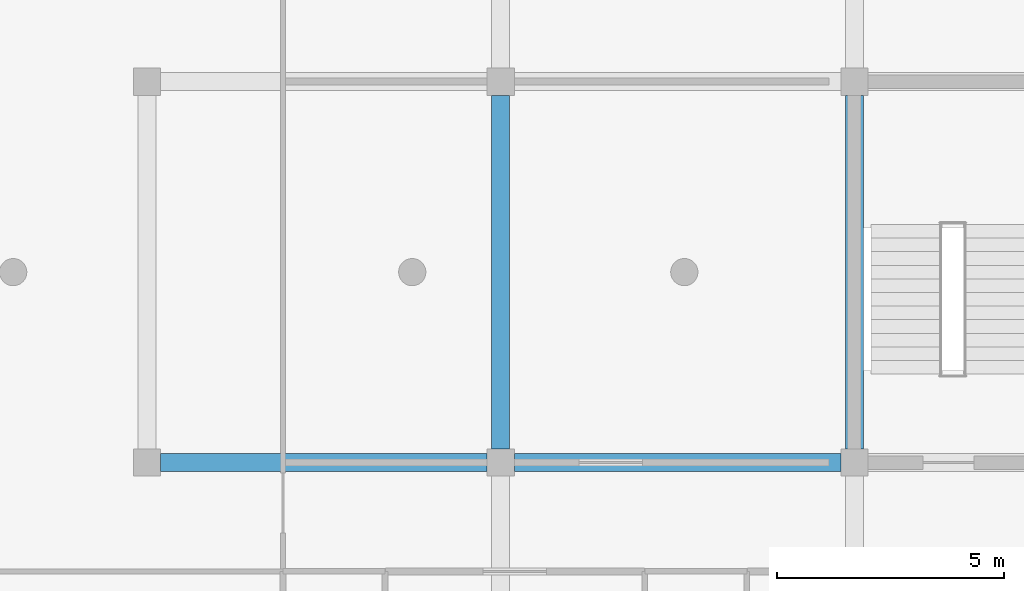
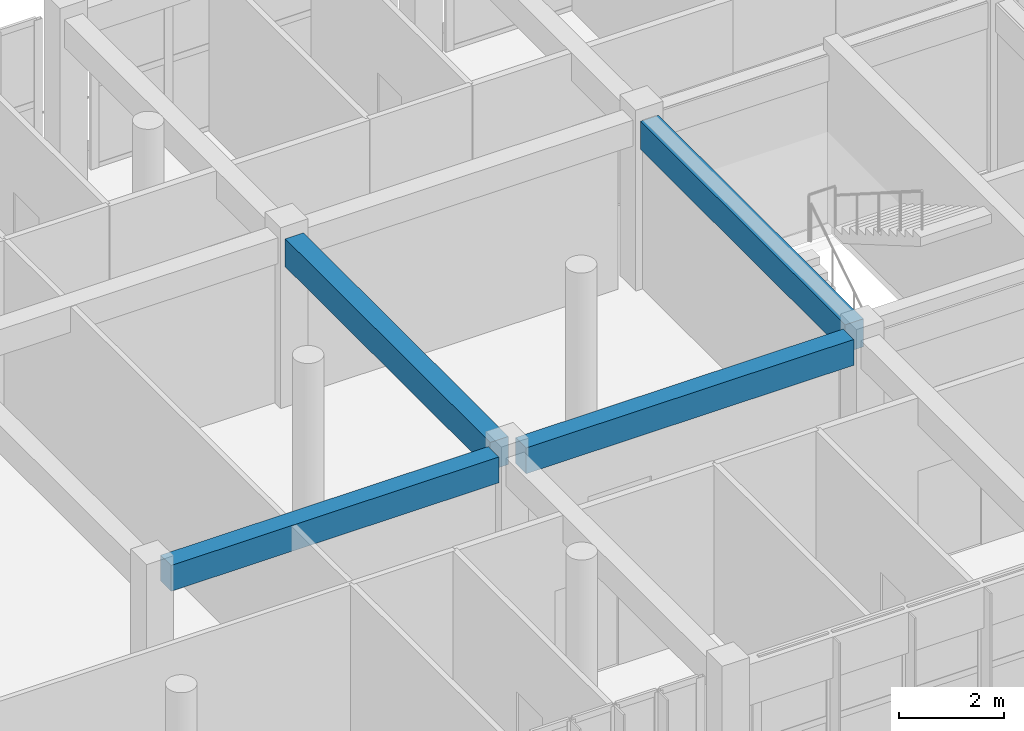
# One storey, part 6 of 56: 4 beams.
"""IFC4 building model written with IfcOpenShell, lengths in metres."""

import ifcopenshell
import ifcopenshell.guid

model = None  # the IFC model being written
_history = None  # IfcOwnerHistory: only IFC2X3 demands one
_inside = {}  # id of a spatial element -> (the spatial element, [elements in it])
_under = {}  # id of a project, library or spatial element -> (it, [spatial elements below it])
_declared = {}  # id of a project -> (the project, [libraries it declares])
_typed = {}  # id of a type object -> (the type object, [elements of that type])
_made_of = {}  # id of a material, layer set ... -> (it, [elements and type objects made of it])


def new_model(schema):
    """Start an empty IFC model of exactly this schema.

    Asked for "IFC4X3", IfcOpenShell would pick the latest addendum, in which some entities
    have other attributes; the version numbers below select the first issue.
    IFC2X3 requires an IfcOwnerHistory on every rooted entity: one is made here for all.
    """
    global model, _history
    if schema == "IFC4X3":
        model = ifcopenshell.file(schema_version=(4, 3, 0, 0))
    else:
        model = ifcopenshell.file(schema=schema)
    _inside.clear()
    _under.clear()
    _declared.clear()
    _typed.clear()
    _made_of.clear()
    _history = None
    if model.schema == "IFC2X3":
        org = make("IfcOrganization", Name="unknown")
        user = make(
            "IfcPersonAndOrganization",
            ThePerson=make("IfcPerson", FamilyName="unknown"),
            TheOrganization=org,
        )
        app = make(
            "IfcApplication",
            ApplicationDeveloper=org,
            Version="unknown",
            ApplicationFullName="unknown",
            ApplicationIdentifier="unknown",
        )
        _history = make(
            "IfcOwnerHistory",
            OwningUser=user,
            OwningApplication=app,
            ChangeAction="ADDED",
            CreationDate=0,
        )
    return model


def make(cls, **values):
    """One entity of the class cls with the attributes given. An attribute that is None is left unset."""
    return model.create_entity(
        cls, **{name: value for name, value in values.items() if value is not None}
    )


def rooted(cls, **values):
    """An entity with a GlobalId (a new one), such as an element, a storey or a relation."""
    return make(cls, GlobalId=ifcopenshell.guid.new(), OwnerHistory=_history, **values)


def si_unit(unit_type, name, prefix=None):
    """IfcSIUnit, for example si_unit("LENGTHUNIT", "METRE", prefix="MILLI")."""
    return make("IfcSIUnit", UnitType=unit_type, Prefix=prefix, Name=name)


def assignment(units):
    """IfcUnitAssignment: the units of a project."""
    return None if units is None else make("IfcUnitAssignment", Units=units)


def point(xyz):
    """IfcCartesianPoint."""
    return None if xyz is None else make("IfcCartesianPoint", Coordinates=xyz)


def direction(xyz):
    """IfcDirection."""
    return None if xyz is None else make("IfcDirection", DirectionRatios=xyz)


def frame(location, z_axis=None, x_axis=None):
    """IfcAxis2Placement3D, a coordinate frame: its origin and axes. An axis left out is left unset."""
    return make(
        "IfcAxis2Placement3D",
        Location=point(location),
        Axis=direction(z_axis),
        RefDirection=direction(x_axis),
    )


def frame_2d(location, x_axis=None):
    """IfcAxis2Placement2D, a coordinate frame in the plane: its origin and x axis."""
    return make(
        "IfcAxis2Placement2D", Location=point(location), RefDirection=direction(x_axis)
    )


def origin():
    """The frame at (0, 0, 0) with its axes left unset."""
    return frame((0.0, 0.0, 0.0))


def origin_2d():
    """The frame at (0, 0) in the plane with its x axis left unset."""
    return frame_2d((0.0, 0.0))


def place(relative_to, where):
    """IfcLocalPlacement: puts the frame where relative to a parent placement (None: the world)."""
    return make(
        "IfcLocalPlacement", PlacementRelTo=relative_to, RelativePlacement=where
    )


def context(
    kind, dimensions, precision=None, world=None, true_north=None, identifier=None
):
    """IfcGeometricRepresentationContext, for example the 3D "Model" context."""
    return make(
        "IfcGeometricRepresentationContext",
        ContextIdentifier=identifier,
        ContextType=kind,
        CoordinateSpaceDimension=dimensions,
        Precision=precision,
        WorldCoordinateSystem=world,
        TrueNorth=true_north,
    )


def subcontext(parent, identifier, kind, view, scale=None):
    """IfcGeometricRepresentationSubContext, for example "Body" below "Model"."""
    return make(
        "IfcGeometricRepresentationSubContext",
        ContextIdentifier=identifier,
        ContextType=kind,
        ParentContext=parent,
        TargetScale=scale,
        TargetView=view,
    )


def project(units=None, contexts=None):
    """IfcProject with its units and contexts."""
    return rooted(
        "IfcProject",
        Name="project",
        RepresentationContexts=contexts,
        UnitsInContext=assignment(units),
    )


def spatial(cls, under=None, at=None, **own):
    """A site, building, storey or space (cls), placed at a placement, below another one or the project."""
    s = rooted(cls, ObjectPlacement=at, **own)
    if under is not None:
        _under.setdefault(under.id(), (under, []))[1].append(s)
    return s


def profile(cls, at=None, kind="AREA", **sizes):
    """A parametric profile (cls). Its sizes go by their IFC names, for example OverallWidth=200.0."""
    return make(cls, ProfileType=kind, Position=at, **sizes)


def rectangle(**sizes):
    """IfcRectangleProfileDef."""
    return profile("IfcRectangleProfileDef", **sizes)


def extrude(swept, where, along, depth):
    """IfcExtrudedAreaSolid: the profile swept, set in the frame where, extruded along a direction by depth."""
    return make(
        "IfcExtrudedAreaSolid",
        SweptArea=swept,
        Position=where,
        ExtrudedDirection=direction(along),
        Depth=depth,
    )


def shape(context_of_items, identifier, shape_type, items):
    """IfcShapeRepresentation: the items that make up one representation, for example the "Body"."""
    return make(
        "IfcShapeRepresentation",
        ContextOfItems=context_of_items,
        RepresentationIdentifier=identifier,
        RepresentationType=shape_type,
        Items=items,
    )


def material(Name=None, Category=None):
    """IfcMaterial."""
    return make("IfcMaterial", Name=Name, Category=Category)


def material_profile(
    of_material, cross_section, Name=None, Category=None, Priority=None
):
    """IfcMaterialProfile: a cross section and its material."""
    return make(
        "IfcMaterialProfile",
        Name=Name,
        Material=of_material,
        Profile=cross_section,
        Priority=Priority,
        Category=Category,
    )


def profile_set(profiles, Name=None, composite=None):
    """IfcMaterialProfileSet."""
    return make(
        "IfcMaterialProfileSet",
        Name=Name,
        MaterialProfiles=profiles,
        CompositeProfile=composite,
    )


def made_of(thing, what):
    """Note that an element or type object is made of a material, layer set ...; save() writes the relation."""
    if what is not None:
        _made_of.setdefault(what.id(), (what, []))[1].append(thing)
    return thing


def type_object(cls, material=None, **own):
    """A type object (cls), such as IfcWallType, which elements share."""
    return made_of(rooted(cls, **own), material)


def element(
    cls,
    number,
    at=None,
    inside=None,
    cuts=None,
    type_object=None,
    material=None,
    context=None,
    identifier="Body",
    shape_type=None,
    held_by="IfcProductDefinitionShape",
    body=None,
    shapes=None,
    **own,
):
    """One element of the class cls, such as IfcWall. Its Tag is "e" and its number.

    at: its placement. inside: the storey or other place that contains it. cuts: it is an
    opening in that element (IfcRelVoidsElement). A single representation is given by context,
    identifier, shape_type and body (its items); several are given by shapes. held_by: the class
    of the entity that holds the representations. save() writes the other relations.
    """
    e = rooted(cls, Tag="e%d" % number, ObjectPlacement=at, **own)
    if body is not None:
        shapes = [shape(context, identifier, shape_type, body)]
    if shapes is not None:
        e.Representation = make(held_by, Representations=shapes)
    if inside is not None:
        _inside.setdefault(inside.id(), (inside, []))[1].append(e)
    if cuts is not None:
        rooted(
            "IfcRelVoidsElement", RelatingBuildingElement=cuts, RelatedOpeningElement=e
        )
    if type_object is not None:
        _typed.setdefault(type_object.id(), (type_object, []))[1].append(e)
    return made_of(e, material)


def aggregate(whole, parts):
    """IfcRelAggregates: a whole, such as a stair, and the parts it consists of."""
    return rooted("IfcRelAggregates", RelatingObject=whole, RelatedObjects=parts)


def save(model, path):
    """Write the relations noted so far, then the file.

    IfcRelAggregates (storeys below a building ...), IfcRelContainedInSpatialStructure (elements
    in a storey), IfcRelDefinesByType, IfcRelAssociatesMaterial and IfcRelDeclares: one each for
    every whole, place, type object, material and project.
    """
    for whole, parts in _under.values():
        aggregate(whole, parts)
    for where, things in _inside.values():
        rooted(
            "IfcRelContainedInSpatialStructure",
            RelatedElements=things,
            RelatingStructure=where,
        )
    for kind, things in _typed.values():
        rooted("IfcRelDefinesByType", RelatedObjects=things, RelatingType=kind)
    for what, things in _made_of.values():
        rooted("IfcRelAssociatesMaterial", RelatedObjects=things, RelatingMaterial=what)
    for by, libraries in _declared.values():
        rooted("IfcRelDeclares", RelatingContext=by, RelatedDefinitions=libraries)
    model.write(path)


model = new_model("IFC4")

# Units and contexts
model_context = context("Model", 3, precision=1e-05, world=origin(), true_north=direction((0.0, 1.0)))
body_context = subcontext(model_context, "Body", "Model", "MODEL_VIEW")
ifc_project = project(units=[si_unit("LENGTHUNIT", "METRE"), si_unit("AREAUNIT", "SQUARE_METRE"), si_unit("VOLUMEUNIT", "CUBIC_METRE"), si_unit("PLANEANGLEUNIT", "RADIAN"), si_unit("MASSUNIT", "GRAM", prefix="KILO")], contexts=[model_context])

# Site, building, storey
site_placement = place(None, origin())
site = spatial("IfcSite", under=ifc_project, at=site_placement, CompositionType="ELEMENT")
building_placement = place(site_placement, origin())
building = spatial("IfcBuilding", under=site, at=building_placement, Name="Zizhar Promenade General Hospital", CompositionType="ELEMENT")
storey_placement = place(building_placement, frame((0.0, 0.0, 26.39990234375)))
storey = spatial("IfcBuildingStorey", under=building, at=storey_placement, Name="L06", CompositionType="ELEMENT", Elevation=26.39990234375)

# Beams
ifc_material_1 = material(Name="Concrete C35/45", Category="concrete")
ifc_material_profile_1 = material_profile(ifc_material_1, rectangle(XDim=0.39990234375, YDim=0.60009765625, at=origin_2d()))
ifc_profile_set_1 = profile_set([ifc_material_profile_1], Name="Concrete C35/45")
beam_type_1 = type_object("IfcBeamType", Name="BM-RC-400x600", PredefinedType="JOIST", material=ifc_profile_set_1)
for number, where, z_axis, x_axis, name in (
    (1, (31.5, 8.39990234375, 3.610107421875), (1.0, 0.0, 0.0), (0.0, 1.0, 0.0), "Grid Beam X L06 (4-1)"),
    (2, (39.300048828125, 8.39990234375, 3.610107421875), (1.0, 0.0, 0.0), (0.0, 1.0, 0.0), "Grid Beam X L06 (5-1)"),
):
    element("IfcBeam", number, at=place(storey_placement, frame(where, z_axis=z_axis, x_axis=x_axis)), inside=storey, type_object=beam_type_1, Name=name, PredefinedType="JOIST", context=body_context, shape_type="SweptSolid", body=[
        extrude(rectangle(XDim=0.39990234375, YDim=0.60009765625, at=origin_2d()), origin(), (0.0, 0.0, 1.0), 7.199951171875),
    ])
ifc_material_2 = material(Name="Concrete C35/45", Category="concrete")
ifc_material_profile_2 = material_profile(ifc_material_2, rectangle(XDim=0.39990234375, YDim=0.64990234375, at=origin_2d()))
ifc_profile_set_2 = profile_set([ifc_material_profile_2], Name="Concrete C35/45")
beam_type_2 = type_object("IfcBeamType", Name="BM-RC-400x650", PredefinedType="BEAM", material=ifc_profile_set_2)
for number, where, z_axis, x_axis, name in (
    (3, (39.0, 8.699951171875, 3.585205078125), (0.0, 1.0, 0.0), (-1.0, 0.0, 0.0), "Grid Beam Y L06 (5-1)"),
    (4, (46.800048828125, 8.699951171875, 3.585205078125), (0.0, 1.0, 0.0), (-1.0, 0.0, 0.0), "Grid Beam Y L06 (6-1)"),
):
    element("IfcBeam", number, at=place(storey_placement, frame(where, z_axis=z_axis, x_axis=x_axis)), inside=storey, type_object=beam_type_2, Name=name, PredefinedType="BEAM", context=body_context, shape_type="SweptSolid", body=[
        extrude(rectangle(XDim=0.39990234375, YDim=0.64990234375, at=origin_2d()), origin(), (0.0, 0.0, 1.0), 7.800048828125),
    ])

save(model, "model.ifc")
